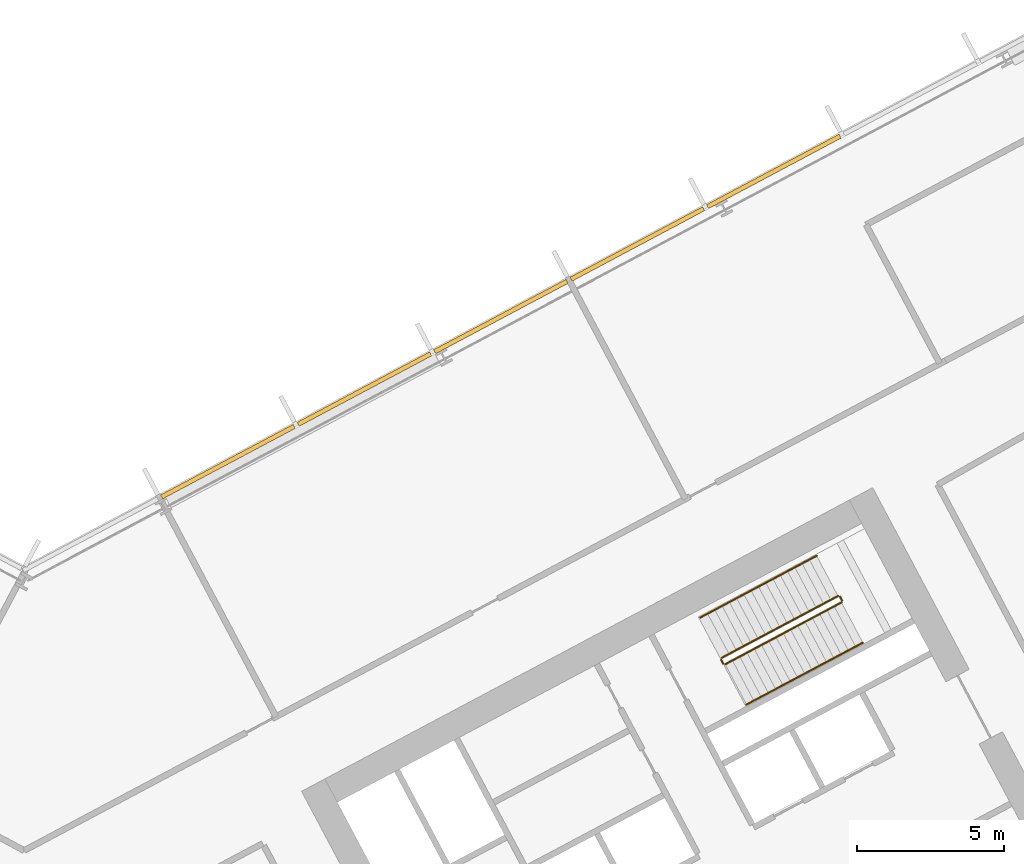
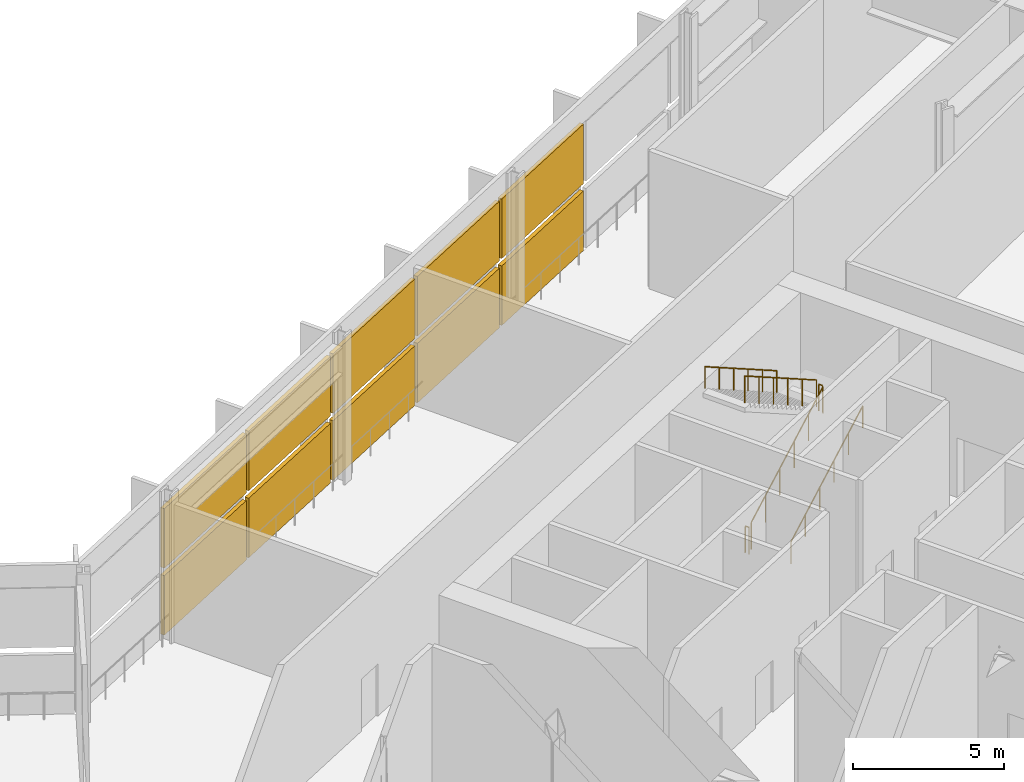
# One storey, part 30 of 33: 10 shading devices, 6 railings, 1 element without a shape of its own.
"""IFC4 building model written with IfcOpenShell, lengths in metres."""

from ifc_helpers import new_model, si_unit, direction, frame, origin, origin_2d, place, context, subcontext, project, spatial, polyline, rectangle, outline, extrude, material, layer, layer_set, type_object, element, aggregate, save


model = new_model("IFC4")

# Units and contexts
model_context = context("Model", 3, precision=1e-05, world=origin(), true_north=direction((0.0, 1.0)))
body_context = subcontext(model_context, "Body", "Model", "MODEL_VIEW")
ifc_project = project(units=[si_unit("LENGTHUNIT", "METRE"), si_unit("AREAUNIT", "SQUARE_METRE"), si_unit("VOLUMEUNIT", "CUBIC_METRE"), si_unit("PLANEANGLEUNIT", "RADIAN"), si_unit("MASSUNIT", "GRAM", prefix="KILO")], contexts=[model_context])

# Site, building, storey
site_placement = place(None, origin())
site = spatial("IfcSite", under=ifc_project, at=site_placement, CompositionType="ELEMENT")
building_placement = place(site_placement, origin())
building = spatial("IfcBuilding", under=site, at=building_placement, Name="Cormorant Relay Tower", CompositionType="ELEMENT")
storey_placement = place(building_placement, frame((0.0, 0.0, 112.199951171875)))
storey = spatial("IfcBuildingStorey", under=building, at=storey_placement, Name="L22", CompositionType="ELEMENT", Elevation=112.199951171875)

# Curtain wall, shading devices
ifc_material_1 = material(Name="Aluminium 6063-T6 anodised bronze", Category="aluminium")
ifc_layer = layer(ifc_material_1, 0.199951171875)
ifc_layer_set = layer_set([ifc_layer], Name="CW4 band louvre wall")
curtain_wall_type = type_object("IfcCurtainWallType", Name="CW4 band louvre wall", PredefinedType="NOTDEFINED", material=ifc_layer_set)
curtain_wall_placement = place(storey_placement, origin())
curtain_wall = element("IfcCurtainWall", 1, at=curtain_wall_placement, inside=storey, type_object=curtain_wall_type, Name="CW4 curtain wall 6", PredefinedType="NOTDEFINED")
ifc_material_2 = material(Name="Aluminium 6063-T6 anodised bronze louvre", Category="aluminium")
shading_device_type = type_object("IfcShadingDeviceType", Name="CW4 bronze louvre bank 150 x 2400", PredefinedType="USERDEFINED", material=ifc_material_2)
shading_device_1_placement = place(storey_placement, frame((25.4970703125, 37.42578125, 2.7001953125), z_axis=(0.0, 0.0, 1.0), x_axis=(-0.882947592859, -0.469471562786, 0.0)))
shading_device_1 = element("IfcShadingDevice", 2, at=shading_device_1_placement, type_object=shading_device_type, Name="CW4 louvre bank U6.6", ObjectType="LOUVRE", PredefinedType="USERDEFINED", context=body_context, shape_type="SweptSolid", body=[
    extrude(rectangle(XDim=5.107666015625, YDim=0.14990234375, at=origin_2d()), origin(), (0.0, 0.0, 1.0), 2.39990234375),
])
shading_device_2_placement = place(storey_placement, frame((25.4970703125, 37.42578125, 0.0), z_axis=(0.0, 0.0, 1.0), x_axis=(-0.882947592859, -0.469471562786, 0.0)))
shading_device_2 = element("IfcShadingDevice", 3, at=shading_device_2_placement, type_object=shading_device_type, Name="CW4 louvre bank D6.6", ObjectType="LOUVRE", PredefinedType="USERDEFINED", context=body_context, shape_type="SweptSolid", body=[
    extrude(rectangle(XDim=5.107666015625, YDim=0.14990234375, at=origin_2d()), origin(), (0.0, 0.0, 1.0), 2.39990234375),
])
shading_device_3_placement = place(storey_placement, frame((20.854736328125, 34.95751953125, 2.7001953125), z_axis=(0.0, 0.0, 1.0), x_axis=(-0.882947592859, -0.469471562786, 0.0)))
shading_device_3 = element("IfcShadingDevice", 4, at=shading_device_3_placement, type_object=shading_device_type, Name="CW4 louvre bank U6.7", ObjectType="LOUVRE", PredefinedType="USERDEFINED", context=body_context, shape_type="SweptSolid", body=[
    extrude(rectangle(XDim=5.107666015625, YDim=0.14990234375, at=origin_2d()), origin(), (0.0, 0.0, 1.0), 2.39990234375),
])
shading_device_4_placement = place(storey_placement, frame((20.854736328125, 34.95751953125, 0.0), z_axis=(0.0, 0.0, 1.0), x_axis=(-0.882947592859, -0.469471562786, 0.0)))
shading_device_4 = element("IfcShadingDevice", 5, at=shading_device_4_placement, type_object=shading_device_type, Name="CW4 louvre bank D6.7", ObjectType="LOUVRE", PredefinedType="USERDEFINED", context=body_context, shape_type="SweptSolid", body=[
    extrude(rectangle(XDim=5.107666015625, YDim=0.14990234375, at=origin_2d()), origin(), (0.0, 0.0, 1.0), 2.39990234375),
])
shading_device_5_placement = place(storey_placement, frame((16.212646484375, 32.4892578125, 2.7001953125), z_axis=(0.0, 0.0, 1.0), x_axis=(-0.882947592859, -0.469471562786, 0.0)))
shading_device_5 = element("IfcShadingDevice", 6, at=shading_device_5_placement, type_object=shading_device_type, Name="CW4 louvre bank U6.8", ObjectType="LOUVRE", PredefinedType="USERDEFINED", context=body_context, shape_type="SweptSolid", body=[
    extrude(rectangle(XDim=5.107666015625, YDim=0.14990234375, at=origin_2d()), origin(), (0.0, 0.0, 1.0), 2.39990234375),
])
shading_device_6_placement = place(storey_placement, frame((16.212646484375, 32.4892578125, 0.0), z_axis=(0.0, 0.0, 1.0), x_axis=(-0.882947592859, -0.469471562786, 0.0)))
shading_device_6 = element("IfcShadingDevice", 7, at=shading_device_6_placement, type_object=shading_device_type, Name="CW4 louvre bank D6.8", ObjectType="LOUVRE", PredefinedType="USERDEFINED", context=body_context, shape_type="SweptSolid", body=[
    extrude(rectangle(XDim=5.107666015625, YDim=0.14990234375, at=origin_2d()), origin(), (0.0, 0.0, 1.0), 2.39990234375),
])
shading_device_7_placement = place(storey_placement, frame((11.5703125, 30.02099609375, 2.7001953125), z_axis=(0.0, 0.0, 1.0), x_axis=(-0.882947592859, -0.469471562786, 0.0)))
shading_device_7 = element("IfcShadingDevice", 8, at=shading_device_7_placement, type_object=shading_device_type, Name="CW4 louvre bank U6.9", ObjectType="LOUVRE", PredefinedType="USERDEFINED", context=body_context, shape_type="SweptSolid", body=[
    extrude(rectangle(XDim=5.107666015625, YDim=0.14990234375, at=origin_2d()), origin(), (0.0, 0.0, 1.0), 2.39990234375),
])
shading_device_8_placement = place(storey_placement, frame((11.5703125, 30.02099609375, 0.0), z_axis=(0.0, 0.0, 1.0), x_axis=(-0.882947592859, -0.469471562786, 0.0)))
shading_device_8 = element("IfcShadingDevice", 9, at=shading_device_8_placement, type_object=shading_device_type, Name="CW4 louvre bank D6.9", ObjectType="LOUVRE", PredefinedType="USERDEFINED", context=body_context, shape_type="SweptSolid", body=[
    extrude(rectangle(XDim=5.107666015625, YDim=0.14990234375, at=origin_2d()), origin(), (0.0, 0.0, 1.0), 2.39990234375),
])
shading_device_9_placement = place(storey_placement, frame((6.927978515625, 27.552734375, 2.7001953125), z_axis=(0.0, 0.0, 1.0), x_axis=(-0.882947592859, -0.469471562786, 0.0)))
shading_device_9 = element("IfcShadingDevice", 10, at=shading_device_9_placement, type_object=shading_device_type, Name="CW4 louvre bank U6.10", ObjectType="LOUVRE", PredefinedType="USERDEFINED", context=body_context, shape_type="SweptSolid", body=[
    extrude(rectangle(XDim=5.107666015625, YDim=0.14990234375, at=origin_2d()), origin(), (0.0, 0.0, 1.0), 2.39990234375),
])
shading_device_10_placement = place(storey_placement, frame((6.927978515625, 27.552734375, 0.0), z_axis=(0.0, 0.0, 1.0), x_axis=(-0.882947592859, -0.469471562786, 0.0)))
shading_device_10 = element("IfcShadingDevice", 11, at=shading_device_10_placement, type_object=shading_device_type, Name="CW4 louvre bank D6.10", ObjectType="LOUVRE", PredefinedType="USERDEFINED", context=body_context, shape_type="SweptSolid", body=[
    extrude(rectangle(XDim=5.107666015625, YDim=0.14990234375, at=origin_2d()), origin(), (0.0, 0.0, 1.0), 2.39990234375),
])
aggregate(curtain_wall, [shading_device_1, shading_device_2, shading_device_3, shading_device_4, shading_device_5, shading_device_6, shading_device_7, shading_device_8, shading_device_9, shading_device_10])

# Railings
ifc_material_3 = material(Name="Steel ASTM A572 Grade 50 (Fy 345 MPa)", Category="steel")
railing_type_1 = type_object("IfcRailingType", Name="Stair guard 1100", PredefinedType="GUARDRAIL", material=ifc_material_3)
railing_1_placement = place(storey_placement, frame((23.8408203125, 20.6611328125, 0.176513671875)))
element("IfcRailing", 12, at=railing_1_placement, inside=storey, type_object=railing_type_1, Name="L22 B2 stair guard 1", PredefinedType="GUARDRAIL", context=body_context, shape_type="SweptSolid", body=[
    extrude(outline(polyline([(0.022216796875, 0.00927734375), (0.00927734375, 0.022216796875), (-0.00927734375, 0.022216796875), (-0.022216796875, 0.00927734375), (-0.022216796875, -0.00927734375), (-0.00927734375, -0.022216796875), (0.00927734375, -0.022216796875), (0.022216796875, -0.00927734375), (0.022216796875, 0.00927734375)])), frame((0.0, 0.0, 1.076171875), z_axis=(0.746981028628, 0.397141993618, 0.533195629928), x_axis=(-0.469439434157, 0.882964675204, 0.0)), (0.0, 0.0, 1.0), 5.29541015625),
    extrude(outline(polyline([(0.019287109375, 0.008056640625), (0.008056640625, 0.019287109375), (-0.008056640625, 0.019287109375), (-0.019287109375, 0.008056640625), (-0.019287109375, -0.008056640625), (-0.008056640625, -0.019287109375), (0.008056640625, -0.019287109375), (0.019287109375, -0.008056640625), (0.019287109375, 0.008056640625)])), origin(), (0.0, 0.0, 1.0), 1.052001953125),
    extrude(outline(polyline([(0.019287109375, 0.008056640625), (0.008056640625, 0.019287109375), (-0.008056640625, 0.019287109375), (-0.019287109375, 0.008056640625), (-0.019287109375, -0.008056640625), (-0.008056640625, -0.019287109375), (0.008056640625, -0.019287109375), (0.019287109375, -0.008056640625), (0.019287109375, 0.008056640625)])), frame((0.791015625, 0.420654296875, 0.564697265625)), (0.0, 0.0, 1.0), 1.052001953125),
    extrude(outline(polyline([(0.019287109375, 0.008056640625), (0.008056640625, 0.019287109375), (-0.008056640625, 0.019287109375), (-0.019287109375, 0.008056640625), (-0.019287109375, -0.008056640625), (-0.008056640625, -0.019287109375), (0.008056640625, -0.019287109375), (0.019287109375, -0.008056640625), (0.019287109375, 0.008056640625)])), frame((1.582275390625, 0.84130859375, 1.12939453125)), (0.0, 0.0, 1.0), 1.052001953125),
    extrude(outline(polyline([(0.019287109375, 0.008056640625), (0.008056640625, 0.019287109375), (-0.008056640625, 0.019287109375), (-0.019287109375, 0.008056640625), (-0.019287109375, -0.008056640625), (-0.008056640625, -0.019287109375), (0.008056640625, -0.019287109375), (0.019287109375, -0.008056640625), (0.019287109375, 0.008056640625)])), frame((2.373291015625, 1.26171875, 1.694091796875)), (0.0, 0.0, 1.0), 1.052001953125),
    extrude(outline(polyline([(0.019287109375, 0.008056640625), (0.008056640625, 0.019287109375), (-0.008056640625, 0.019287109375), (-0.019287109375, 0.008056640625), (-0.019287109375, -0.008056640625), (-0.008056640625, -0.019287109375), (0.008056640625, -0.019287109375), (0.019287109375, -0.008056640625), (0.019287109375, 0.008056640625)])), frame((3.16455078125, 1.682373046875, 2.2587890625)), (0.0, 0.0, 1.0), 1.052001953125),
    extrude(outline(polyline([(0.019287109375, 0.008056640625), (0.008056640625, 0.019287109375), (-0.008056640625, 0.019287109375), (-0.019287109375, 0.008056640625), (-0.019287109375, -0.008056640625), (-0.008056640625, -0.019287109375), (0.008056640625, -0.019287109375), (0.019287109375, -0.008056640625), (0.019287109375, 0.008056640625)])), frame((3.95556640625, 2.10302734375, 2.823486328125)), (0.0, 0.0, 1.0), 1.052001953125),
])
railing_2_placement = place(storey_placement, frame((27.817138671875, 22.831787109375, 3.0)))
element("IfcRailing", 13, at=railing_2_placement, inside=storey, type_object=railing_type_1, Name="L22 B2 stair guard 2", PredefinedType="GUARDRAIL", context=body_context, shape_type="SweptSolid", body=[
    extrude(outline(polyline([(0.022216796875, 0.00927734375), (0.00927734375, 0.022216796875), (-0.00927734375, 0.022216796875), (-0.022216796875, 0.00927734375), (-0.022216796875, -0.00927734375), (-0.00927734375, -0.022216796875), (0.00927734375, -0.022216796875), (0.022216796875, -0.00927734375), (0.022216796875, 0.00927734375)])), frame((0.0, 0.0, 1.076171875), z_axis=(-0.46856034887, 0.8834314911, 0.0), x_axis=(-0.8834314911, -0.46856034887, 0.0)), (0.0, 0.0, 1.0), 0.150146484375),
    extrude(outline(polyline([(0.019287109375, 0.008056640625), (0.008056640625, 0.019287109375), (-0.008056640625, 0.019287109375), (-0.019287109375, 0.008056640625), (-0.019287109375, -0.008056640625), (-0.008056640625, -0.019287109375), (0.008056640625, -0.019287109375), (0.019287109375, -0.008056640625), (0.019287109375, 0.008056640625)])), origin(), (0.0, 0.0, 1.0), 1.052001953125),
    extrude(outline(polyline([(0.019287109375, 0.008056640625), (0.008056640625, 0.019287109375), (-0.008056640625, 0.019287109375), (-0.019287109375, 0.008056640625), (-0.019287109375, -0.008056640625), (-0.008056640625, -0.019287109375), (0.008056640625, -0.019287109375), (0.019287109375, -0.008056640625), (0.019287109375, 0.008056640625)])), frame((-0.0703125, 0.132568359375, 0.0)), (0.0, 0.0, 1.0), 1.052001953125),
])
railing_3_placement = place(storey_placement, frame((27.67919921875, 22.985107421875, 3.176513671875)))
element("IfcRailing", 14, at=railing_3_placement, inside=storey, type_object=railing_type_1, Name="L22 B2 stair guard 3", PredefinedType="GUARDRAIL", context=body_context, shape_type="SweptSolid", body=[
    extrude(outline(polyline([(0.022216796875, 0.00927734375), (0.00927734375, 0.022216796875), (-0.00927734375, 0.022216796875), (-0.022216796875, 0.00927734375), (-0.022216796875, -0.00927734375), (-0.00927734375, -0.022216796875), (0.00927734375, -0.022216796875), (0.022216796875, -0.00927734375), (0.022216796875, 0.00927734375)])), frame((0.0, 0.0, 1.076171875), z_axis=(-0.746987729523, -0.397167147432, 0.53316750552), x_axis=(0.469459331058, -0.882954096475, 0.0)), (0.0, 0.0, 1.0), 5.295654296875),
    extrude(outline(polyline([(0.019287109375, 0.008056640625), (0.008056640625, 0.019287109375), (-0.008056640625, 0.019287109375), (-0.019287109375, 0.008056640625), (-0.019287109375, -0.008056640625), (-0.008056640625, -0.019287109375), (0.008056640625, -0.019287109375), (0.019287109375, -0.008056640625), (0.019287109375, 0.008056640625)])), origin(), (0.0, 0.0, 1.0), 1.052001953125),
    extrude(outline(polyline([(0.019287109375, 0.008056640625), (0.008056640625, 0.019287109375), (-0.008056640625, 0.019287109375), (-0.019287109375, 0.008056640625), (-0.019287109375, -0.008056640625), (-0.008056640625, -0.019287109375), (0.008056640625, -0.019287109375), (0.019287109375, -0.008056640625), (0.019287109375, 0.008056640625)])), frame((-0.791259765625, -0.420654296875, 0.564697265625)), (0.0, 0.0, 1.0), 1.052001953125),
    extrude(outline(polyline([(0.019287109375, 0.008056640625), (0.008056640625, 0.019287109375), (-0.008056640625, 0.019287109375), (-0.019287109375, 0.008056640625), (-0.019287109375, -0.008056640625), (-0.008056640625, -0.019287109375), (0.008056640625, -0.019287109375), (0.019287109375, -0.008056640625), (0.019287109375, 0.008056640625)])), frame((-1.582275390625, -0.84130859375, 1.12939453125)), (0.0, 0.0, 1.0), 1.052001953125),
    extrude(outline(polyline([(0.019287109375, 0.008056640625), (0.008056640625, 0.019287109375), (-0.008056640625, 0.019287109375), (-0.019287109375, 0.008056640625), (-0.019287109375, -0.008056640625), (-0.008056640625, -0.019287109375), (0.008056640625, -0.019287109375), (0.019287109375, -0.008056640625), (0.019287109375, 0.008056640625)])), frame((-2.37353515625, -1.261962890625, 1.694091796875)), (0.0, 0.0, 1.0), 1.052001953125),
    extrude(outline(polyline([(0.019287109375, 0.008056640625), (0.008056640625, 0.019287109375), (-0.008056640625, 0.019287109375), (-0.019287109375, 0.008056640625), (-0.019287109375, -0.008056640625), (-0.008056640625, -0.019287109375), (0.008056640625, -0.019287109375), (0.019287109375, -0.008056640625), (0.019287109375, 0.008056640625)])), frame((-3.16455078125, -1.6826171875, 2.2587890625)), (0.0, 0.0, 1.0), 1.052001953125),
    extrude(outline(polyline([(0.019287109375, 0.008056640625), (0.008056640625, 0.019287109375), (-0.008056640625, 0.019287109375), (-0.019287109375, 0.008056640625), (-0.019287109375, -0.008056640625), (-0.008056640625, -0.019287109375), (0.008056640625, -0.019287109375), (0.019287109375, -0.008056640625), (0.019287109375, 0.008056640625)])), frame((-3.955810546875, -2.103271484375, 2.823486328125)), (0.0, 0.0, 1.0), 1.052001953125),
])
railing_4_placement = place(storey_placement, frame((23.773193359375, 20.681640625, 0.0)))
element("IfcRailing", 15, at=railing_4_placement, inside=storey, type_object=railing_type_1, Name="L22 B2 stair guard 4", PredefinedType="GUARDRAIL", context=body_context, shape_type="SweptSolid", body=[
    extrude(outline(polyline([(0.022216796875, 0.00927734375), (0.00927734375, 0.022216796875), (-0.00927734375, 0.022216796875), (-0.022216796875, 0.00927734375), (-0.022216796875, -0.00927734375), (-0.00927734375, -0.022216796875), (0.00927734375, -0.022216796875), (0.022216796875, -0.00927734375), (0.022216796875, 0.00927734375)])), frame((0.0, 0.0, 1.076171875), z_axis=(-0.46856034887, 0.8834314911, 0.0), x_axis=(-0.8834314911, -0.46856034887, 0.0)), (0.0, 0.0, 1.0), 0.150146484375),
    extrude(outline(polyline([(0.019287109375, 0.008056640625), (0.008056640625, 0.019287109375), (-0.008056640625, 0.019287109375), (-0.019287109375, 0.008056640625), (-0.019287109375, -0.008056640625), (-0.008056640625, -0.019287109375), (0.008056640625, -0.019287109375), (0.019287109375, -0.008056640625), (0.019287109375, 0.008056640625)])), origin(), (0.0, 0.0, 1.0), 1.052001953125),
    extrude(outline(polyline([(0.019287109375, 0.008056640625), (0.008056640625, 0.019287109375), (-0.008056640625, 0.019287109375), (-0.019287109375, 0.008056640625), (-0.019287109375, -0.008056640625), (-0.008056640625, -0.019287109375), (0.008056640625, -0.019287109375), (0.019287109375, -0.008056640625), (0.019287109375, 0.008056640625)])), frame((-0.0703125, 0.132568359375, 0.0)), (0.0, 0.0, 1.0), 1.052001953125),
])
ifc_material_4 = material(Name="Steel ASTM A572 Grade 50 (Fy 345 MPa)", Category="steel")
railing_type_2 = type_object("IfcRailingType", Name="Stair handrail 900", PredefinedType="HANDRAIL", material=ifc_material_4)
railing_5_placement = place(storey_placement, frame((24.568603515625, 19.29248046875, 0.176513671875)))
element("IfcRailing", 16, at=railing_5_placement, inside=storey, type_object=railing_type_2, Name="L22 B2 stair handrail 1", PredefinedType="HANDRAIL", context=body_context, shape_type="SweptSolid", body=[
    extrude(outline(polyline([(0.022216796875, 0.00927734375), (0.00927734375, 0.022216796875), (-0.00927734375, 0.022216796875), (-0.022216796875, 0.00927734375), (-0.022216796875, -0.00927734375), (-0.00927734375, -0.022216796875), (0.00927734375, -0.022216796875), (0.022216796875, -0.00927734375), (0.022216796875, 0.00927734375)])), frame((0.0, 0.0, 0.8759765625), z_axis=(0.746967351038, 0.397180825157, 0.533185866853), x_axis=(-0.469481920044, 0.882942085729, 0.0)), (0.0, 0.0, 1.0), 5.29541015625),
    extrude(outline(polyline([(0.019287109375, 0.008056640625), (0.008056640625, 0.019287109375), (-0.008056640625, 0.019287109375), (-0.019287109375, 0.008056640625), (-0.019287109375, -0.008056640625), (-0.008056640625, -0.019287109375), (0.008056640625, -0.019287109375), (0.019287109375, -0.008056640625), (0.019287109375, 0.008056640625)])), origin(), (0.0, 0.0, 1.0), 0.851806640625),
    extrude(outline(polyline([(0.019287109375, 0.008056640625), (0.008056640625, 0.019287109375), (-0.008056640625, 0.019287109375), (-0.019287109375, 0.008056640625), (-0.019287109375, -0.008056640625), (-0.008056640625, -0.019287109375), (0.008056640625, -0.019287109375), (0.019287109375, -0.008056640625), (0.019287109375, 0.008056640625)])), frame((0.791015625, 0.420654296875, 0.564697265625)), (0.0, 0.0, 1.0), 0.851806640625),
    extrude(outline(polyline([(0.019287109375, 0.008056640625), (0.008056640625, 0.019287109375), (-0.008056640625, 0.019287109375), (-0.019287109375, 0.008056640625), (-0.019287109375, -0.008056640625), (-0.008056640625, -0.019287109375), (0.008056640625, -0.019287109375), (0.019287109375, -0.008056640625), (0.019287109375, 0.008056640625)])), frame((1.582275390625, 0.84130859375, 1.12939453125)), (0.0, 0.0, 1.0), 0.851806640625),
    extrude(outline(polyline([(0.019287109375, 0.008056640625), (0.008056640625, 0.019287109375), (-0.008056640625, 0.019287109375), (-0.019287109375, 0.008056640625), (-0.019287109375, -0.008056640625), (-0.008056640625, -0.019287109375), (0.008056640625, -0.019287109375), (0.019287109375, -0.008056640625), (0.019287109375, 0.008056640625)])), frame((2.373291015625, 1.261962890625, 1.694091796875)), (0.0, 0.0, 1.0), 0.851806640625),
    extrude(outline(polyline([(0.019287109375, 0.008056640625), (0.008056640625, 0.019287109375), (-0.008056640625, 0.019287109375), (-0.019287109375, 0.008056640625), (-0.019287109375, -0.008056640625), (-0.008056640625, -0.019287109375), (0.008056640625, -0.019287109375), (0.019287109375, -0.008056640625), (0.019287109375, 0.008056640625)])), frame((3.16455078125, 1.6826171875, 2.2587890625)), (0.0, 0.0, 1.0), 0.851806640625),
    extrude(outline(polyline([(0.019287109375, 0.008056640625), (0.008056640625, 0.019287109375), (-0.008056640625, 0.019287109375), (-0.019287109375, 0.008056640625), (-0.019287109375, -0.008056640625), (-0.008056640625, -0.019287109375), (0.008056640625, -0.019287109375), (0.019287109375, -0.008056640625), (0.019287109375, 0.008056640625)])), frame((3.95556640625, 2.103271484375, 2.823486328125)), (0.0, 0.0, 1.0), 0.851806640625),
])
railing_6_placement = place(storey_placement, frame((26.951416015625, 24.353515625, 3.176513671875)))
element("IfcRailing", 17, at=railing_6_placement, inside=storey, type_object=railing_type_2, Name="L22 B2 stair handrail 2", PredefinedType="HANDRAIL", context=body_context, shape_type="SweptSolid", body=[
    extrude(outline(polyline([(0.022216796875, 0.00927734375), (0.00927734375, 0.022216796875), (-0.00927734375, 0.022216796875), (-0.022216796875, 0.00927734375), (-0.022216796875, -0.00927734375), (-0.00927734375, -0.022216796875), (0.00927734375, -0.022216796875), (0.022216796875, -0.00927734375), (0.022216796875, 0.00927734375)])), frame((0.0, 0.0, 0.8759765625), z_axis=(-0.746967351038, -0.397180825157, 0.533185866853), x_axis=(0.469481920044, -0.882942085729, 0.0)), (0.0, 0.0, 1.0), 5.29541015625),
    extrude(outline(polyline([(0.019287109375, 0.008056640625), (0.008056640625, 0.019287109375), (-0.008056640625, 0.019287109375), (-0.019287109375, 0.008056640625), (-0.019287109375, -0.008056640625), (-0.008056640625, -0.019287109375), (0.008056640625, -0.019287109375), (0.019287109375, -0.008056640625), (0.019287109375, 0.008056640625)])), origin(), (0.0, 0.0, 1.0), 0.851806640625),
    extrude(outline(polyline([(0.019287109375, 0.008056640625), (0.008056640625, 0.019287109375), (-0.008056640625, 0.019287109375), (-0.019287109375, 0.008056640625), (-0.019287109375, -0.008056640625), (-0.008056640625, -0.019287109375), (0.008056640625, -0.019287109375), (0.019287109375, -0.008056640625), (0.019287109375, 0.008056640625)])), frame((-0.791015625, -0.420654296875, 0.564697265625)), (0.0, 0.0, 1.0), 0.851806640625),
    extrude(outline(polyline([(0.019287109375, 0.008056640625), (0.008056640625, 0.019287109375), (-0.008056640625, 0.019287109375), (-0.019287109375, 0.008056640625), (-0.019287109375, -0.008056640625), (-0.008056640625, -0.019287109375), (0.008056640625, -0.019287109375), (0.019287109375, -0.008056640625), (0.019287109375, 0.008056640625)])), frame((-1.582275390625, -0.84130859375, 1.12939453125)), (0.0, 0.0, 1.0), 0.851806640625),
    extrude(outline(polyline([(0.019287109375, 0.008056640625), (0.008056640625, 0.019287109375), (-0.008056640625, 0.019287109375), (-0.019287109375, 0.008056640625), (-0.019287109375, -0.008056640625), (-0.008056640625, -0.019287109375), (0.008056640625, -0.019287109375), (0.019287109375, -0.008056640625), (0.019287109375, 0.008056640625)])), frame((-2.373291015625, -1.261962890625, 1.694091796875)), (0.0, 0.0, 1.0), 0.851806640625),
    extrude(outline(polyline([(0.019287109375, 0.008056640625), (0.008056640625, 0.019287109375), (-0.008056640625, 0.019287109375), (-0.019287109375, 0.008056640625), (-0.019287109375, -0.008056640625), (-0.008056640625, -0.019287109375), (0.008056640625, -0.019287109375), (0.019287109375, -0.008056640625), (0.019287109375, 0.008056640625)])), frame((-3.16455078125, -1.6826171875, 2.2587890625)), (0.0, 0.0, 1.0), 0.851806640625),
    extrude(outline(polyline([(0.019287109375, 0.008056640625), (0.008056640625, 0.019287109375), (-0.008056640625, 0.019287109375), (-0.019287109375, 0.008056640625), (-0.019287109375, -0.008056640625), (-0.008056640625, -0.019287109375), (0.008056640625, -0.019287109375), (0.019287109375, -0.008056640625), (0.019287109375, 0.008056640625)])), frame((-3.95556640625, -2.103271484375, 2.823486328125)), (0.0, 0.0, 1.0), 0.851806640625),
])

save(model, "model.ifc")
